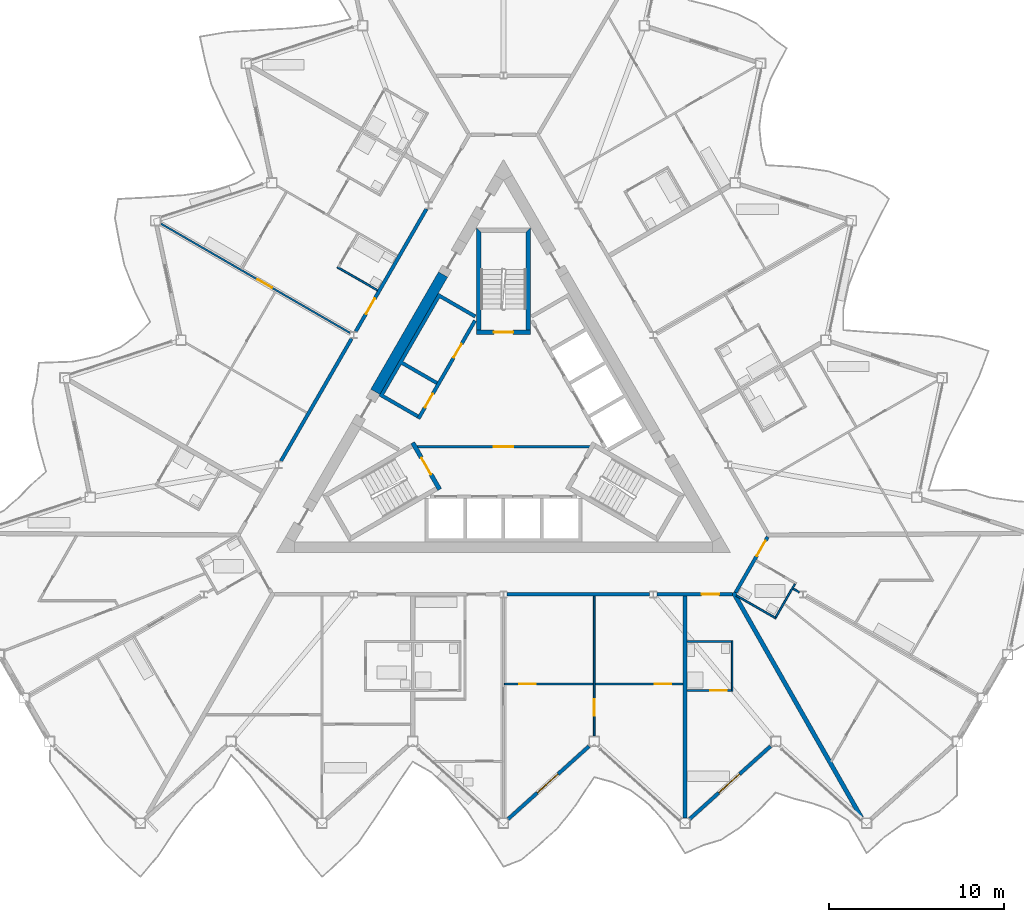
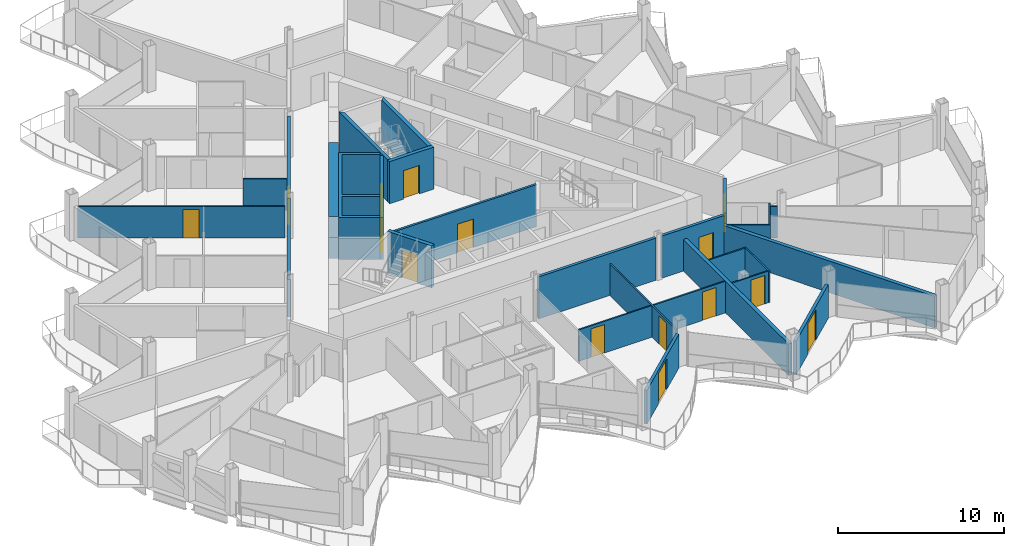
# One storey, part 14 of 26: 27 walls, 15 doors, 15 openings.
"""IFC4 building model written with IfcOpenShell, lengths in metres."""

from ifc_helpers import new_model, si_unit, direction, frame, frame_2d, origin, place, context, subcontext, project, spatial, polyline, rectangle, outline, extrude, material, layer, layer_set, type_object, element, fill, save


model = new_model("IFC4")

# Units and contexts
model_context = context("Model", 3, precision=1e-05, world=origin(), true_north=direction((0.0, 1.0)))
body_context = subcontext(model_context, "Body", "Model", "MODEL_VIEW")
ifc_project = project(units=[si_unit("LENGTHUNIT", "METRE"), si_unit("AREAUNIT", "SQUARE_METRE"), si_unit("VOLUMEUNIT", "CUBIC_METRE"), si_unit("PLANEANGLEUNIT", "RADIAN"), si_unit("MASSUNIT", "GRAM", prefix="KILO")], contexts=[model_context])

# Site, building, storey
site_placement = place(None, origin())
site = spatial("IfcSite", under=ifc_project, at=site_placement, CompositionType="ELEMENT")
building_placement = place(site_placement, origin())
building = spatial("IfcBuilding", under=site, at=building_placement, Name="Cormorant Prow Tower", CompositionType="ELEMENT")
storey_placement = place(building_placement, frame((0.0, 0.0, 342.60009765625)))
storey = spatial("IfcBuildingStorey", under=building, at=storey_placement, Name="L77", CompositionType="ELEMENT", Elevation=342.60009765625)

# Wall, opening, door
ifc_material_1 = material(Name="Gypsum board partition")
ifc_layer_1 = layer(ifc_material_1, 0.14990234375)
ifc_layer_set_1 = layer_set([ifc_layer_1], Name="Gypsum board partition")
wall_type_1 = type_object("IfcWallType", Name="Core partition 150", PredefinedType="PARTITIONING", material=ifc_layer_set_1)
wall_1_placement = place(storey_placement, frame((-4.941162109375, -1.449951171875, 0.0), z_axis=(0.0, 0.0, 1.0), x_axis=(1.0, 0.0, 0.0)))
wall_1 = element("IfcWall", 1, at=wall_1_placement, inside=storey, type_object=wall_type_1, Name="Firefighting lobby partition", PredefinedType="PARTITIONING", context=body_context, shape_type="SweptSolid", body=[
    extrude(rectangle(XDim=9.88232421875, YDim=0.14990234375, at=frame_2d((4.941162109375, 0.0))), origin(), (0.0, 0.0, 1.0), 3.099853515625),
])
opening_1_placement = place(wall_1_placement, frame((4.39111328125, 0.0, 0.0)))
opening_1 = element("IfcOpeningElement", 2, at=opening_1_placement, cuts=wall_1, Name="Opening L77-C11", PredefinedType="OPENING", context=body_context, shape_type="SweptSolid", body=[
    extrude(rectangle(XDim=1.10009765625, YDim=2.10009765625, at=frame_2d((0.550048828125, 1.050048828125))), frame((0.0, 0.0849609375, 0.0), z_axis=(0.0, -1.0, 0.0), x_axis=(1.0, 0.0, 0.0)), (0.0, 0.0, 1.0), 0.169921875),
])
ifc_material_2 = material(Name="Painted steel", Category="steel")
door_type_1 = type_object("IfcDoorType", Name="Firefighting lobby door 1100x2100", OperationType="NOTDEFINED", PredefinedType="DOOR", material=ifc_material_2)
door_1_placement = place(opening_1_placement, origin())
door_1 = element("IfcDoor", 3, at=door_1_placement, inside=storey, type_object=door_type_1, Name="Firefighting lobby door", OperationType="SINGLE_SWING_RIGHT", OverallHeight=2.10009765625, OverallWidth=1.10009765625, PredefinedType="DOOR", context=body_context, shape_type="SweptSolid", body=[
    extrude(rectangle(XDim=1.10009765625, YDim=2.10009765625, at=frame_2d((0.550048828125, 1.050048828125))), frame((0.0, 0.02490234375, 0.0), z_axis=(0.0, -1.0, 0.0), x_axis=(1.0, 0.0, 0.0)), (0.0, 0.0, 1.0), 0.050048828125),
])
fill(opening_1, door_1)

# Walls
ifc_material_3 = material(Name="Concrete 8000 psi", Category="concrete")
ifc_layer_2 = layer(ifc_material_3, 0.60009765625)
ifc_layer_set_2 = layer_set([ifc_layer_2], Name="Concrete 8000 psi")
wall_type_2 = type_object("IfcWallType", Name="Core shear wall 600", PredefinedType="SHEAR", material=ifc_layer_set_2)
wall_2_placement = place(storey_placement, frame((-3.460693359375, 8.416748046875, 0.0), z_axis=(0.0, 0.0, 1.0), x_axis=(-0.50000391502, -0.866023143435, 0.0)))
element("IfcWall", 4, at=wall_2_placement, inside=storey, type_object=wall_type_2, Name="Core wall", PredefinedType="SHEAR", context=body_context, shape_type="SweptSolid", body=[
    extrude(rectangle(XDim=7.7587890625, YDim=0.60009765625, at=frame_2d((3.87939453125, 0.0))), origin(), (0.0, 0.0, 1.0), 3.099853515625),
])
ifc_material_4 = material(Name="Gypsum board corridor wall")
ifc_layer_3 = layer(ifc_material_4, 0.199951171875)
ifc_layer_set_3 = layer_set([ifc_layer_3], Name="Gypsum board corridor wall")
wall_type_3 = type_object("IfcWallType", Name="Corridor wall 200", PredefinedType="PARTITIONING", material=ifc_layer_set_3)
wall_3_placement = place(storey_placement, frame((0.207763671875, -9.905517578125, 0.0), z_axis=(0.0, 0.0, 1.0), x_axis=(1.0, 0.0, 0.0)))
element("IfcWall", 5, at=wall_3_placement, inside=storey, type_object=wall_type_3, Name="Corridor wall", PredefinedType="PARTITIONING", context=body_context, shape_type="SweptSolid", body=[
    extrude(rectangle(XDim=8.1630859375, YDim=0.199951171875, at=frame_2d((4.08154296875, 0.0))), origin(), (0.0, 0.0, 1.0), 3.099853515625),
])

# Wall, opening, door
wall_4_placement = place(storey_placement, frame((-8.45849609375, 5.160400390625, 0.0), z_axis=(0.0, 0.0, 1.0), x_axis=(0.499984266882, 0.866034487114, 0.0)))
wall_4 = element("IfcWall", 6, at=wall_4_placement, inside=storey, type_object=wall_type_3, Name="Corridor wall", PredefinedType="PARTITIONING", context=body_context, shape_type="SweptSolid", body=[
    extrude(rectangle(XDim=8.098876953125, YDim=0.199951171875, at=frame_2d((4.04931640625, 0.0))), origin(), (0.0, 0.0, 1.0), 3.099853515625),
])
opening_2_placement = place(wall_4_placement, frame((1.16357421875, 0.0, 0.0)))
opening_2 = element("IfcOpeningElement", 7, at=opening_2_placement, cuts=wall_4, Name="Opening L77-F42", PredefinedType="OPENING", context=body_context, shape_type="SweptSolid", body=[
    extrude(rectangle(XDim=1.0, YDim=2.10009765625, at=frame_2d((0.5, 1.050048828125))), frame((0.0, 0.10986328125, 0.0), z_axis=(0.0, -1.0, 0.0), x_axis=(1.0, 0.0, 0.0)), (0.0, 0.0, 1.0), 0.219970703125),
])
ifc_material_5 = material(Name="Timber door leaf", Category="wood")
door_type_2 = type_object("IfcDoorType", Name="Flat or room entrance door 1000x2100", OperationType="NOTDEFINED", PredefinedType="DOOR", material=ifc_material_5)
door_2_placement = place(opening_2_placement, origin())
door_2 = element("IfcDoor", 8, at=door_2_placement, inside=storey, type_object=door_type_2, Name="Living room door", OperationType="SINGLE_SWING_RIGHT", OverallHeight=2.10009765625, OverallWidth=1.0, PredefinedType="DOOR", context=body_context, shape_type="SweptSolid", body=[
    extrude(rectangle(XDim=1.0, YDim=2.10009765625, at=frame_2d((0.5, 1.050048828125))), frame((0.0, 0.02490234375, 0.0), z_axis=(0.0, -1.0, 0.0), x_axis=(1.0, 0.0, 0.0)), (0.0, 0.0, 1.0), 0.050048828125),
])
fill(opening_2, door_2)

# Wall
wall_5_placement = place(storey_placement, frame((-12.747802734375, -2.268798828125, 0.0), z_axis=(0.0, 0.0, 1.0), x_axis=(0.499984266882, 0.866034487114, 0.0)))
element("IfcWall", 9, at=wall_5_placement, inside=storey, type_object=wall_type_3, Name="Corridor wall", PredefinedType="PARTITIONING", context=body_context, shape_type="SweptSolid", body=[
    extrude(rectangle(XDim=8.098876953125, YDim=0.199951171875, at=frame_2d((4.04931640625, 0.0))), origin(), (0.0, 0.0, 1.0), 3.099853515625),
])

# Wall, opening, door
wall_6_placement = place(storey_placement, frame((8.7861328125, -9.905517578125, 0.0), z_axis=(0.0, 0.0, 1.0), x_axis=(1.0, 0.0, 0.0)))
wall_6 = element("IfcWall", 10, at=wall_6_placement, inside=storey, type_object=wall_type_3, Name="Corridor wall", PredefinedType="PARTITIONING", context=body_context, shape_type="SweptSolid", body=[
    extrude(rectangle(XDim=4.31982421875, YDim=0.199951171875, at=frame_2d((2.159912109375, 0.0))), origin(), (0.0, 0.0, 1.0), 3.099853515625),
])
opening_3_placement = place(wall_6_placement, frame((2.566162109375, 0.0, 0.0)))
opening_3 = element("IfcOpeningElement", 11, at=opening_3_placement, cuts=wall_6, Name="Opening L77-F14", PredefinedType="OPENING", context=body_context, shape_type="SweptSolid", body=[
    extrude(rectangle(XDim=1.0, YDim=2.10009765625, at=frame_2d((0.5, 1.050048828125))), frame((0.0, 0.10986328125, 0.0), z_axis=(0.0, -1.0, 0.0), x_axis=(1.0, 0.0, 0.0)), (0.0, 0.0, 1.0), 0.219970703125),
])
door_3_placement = place(opening_3_placement, origin())
door_3 = element("IfcDoor", 12, at=door_3_placement, inside=storey, type_object=door_type_2, Name="Studio living, kitchen and sleeping room door", OperationType="SINGLE_SWING_RIGHT", OverallHeight=2.10009765625, OverallWidth=1.0, PredefinedType="DOOR", context=body_context, shape_type="SweptSolid", body=[
    extrude(rectangle(XDim=1.0, YDim=2.10009765625, at=frame_2d((0.5, 1.050048828125))), frame((0.0, 0.02490234375, 0.0), z_axis=(0.0, -1.0, 0.0), x_axis=(1.0, 0.0, 0.0)), (0.0, 0.0, 1.0), 0.050048828125),
])
fill(opening_3, door_3)

wall_7_placement = place(storey_placement, frame((13.29345703125, -9.79736328125, 0.0), z_axis=(0.0, 0.0, 1.0), x_axis=(0.499967746641, 0.866044024469, 0.0)))
wall_7 = element("IfcWall", 13, at=wall_7_placement, inside=storey, type_object=wall_type_3, Name="Corridor wall", PredefinedType="PARTITIONING", context=body_context, shape_type="SweptSolid", body=[
    extrude(rectangle(XDim=3.676025390625, YDim=0.199951171875, at=frame_2d((1.837890625, 0.0))), origin(), (0.0, 0.0, 1.0), 3.099853515625),
])
opening_4_placement = place(wall_7_placement, frame((2.426025390625, 0.0, 0.0)))
opening_4 = element("IfcOpeningElement", 14, at=opening_4_placement, cuts=wall_7, Name="Opening L77-F16", PredefinedType="OPENING", context=body_context, shape_type="SweptSolid", body=[
    extrude(rectangle(XDim=1.0, YDim=2.10009765625, at=frame_2d((0.5, 1.050048828125))), frame((0.0, 0.10986328125, 0.0), z_axis=(0.0, -1.0, 0.0), x_axis=(1.0, 0.0, 0.0)), (0.0, 0.0, 1.0), 0.219970703125),
])
door_4_placement = place(opening_4_placement, origin())
door_4 = element("IfcDoor", 15, at=door_4_placement, inside=storey, type_object=door_type_2, Name="Living room door", OperationType="SINGLE_SWING_RIGHT", OverallHeight=2.10009765625, OverallWidth=1.0, PredefinedType="DOOR", context=body_context, shape_type="SweptSolid", body=[
    extrude(rectangle(XDim=1.0, YDim=2.10009765625, at=frame_2d((0.5, 1.050048828125))), frame((0.0, 0.02490234375, 0.0), z_axis=(0.0, -1.0, 0.0), x_axis=(1.0, 0.0, 0.0)), (0.0, 0.0, 1.0), 0.050048828125),
])
fill(opening_4, door_4)

ifc_material_6 = material(Name="Gypsum board partition")
ifc_layer_4 = layer(ifc_material_6, 0.10009765625)
ifc_layer_set_4 = layer_set([ifc_layer_4], Name="Gypsum board partition")
wall_type_4 = type_object("IfcWallType", Name="Internal partition 100", PredefinedType="PARTITIONING", material=ifc_layer_set_4)
wall_8_placement = place(storey_placement, frame((-19.615478515625, 11.3251953125, 0.0), z_axis=(0.0, 0.0, 1.0), x_axis=(0.86602139559, -0.500006942333, 0.0)))
wall_8 = element("IfcWall", 16, at=wall_8_placement, inside=storey, type_object=wall_type_4, Name="Internal partition", PredefinedType="PARTITIONING", context=body_context, shape_type="SweptSolid", body=[
    extrude(rectangle(XDim=12.504638671875, YDim=0.10009765625, at=frame_2d((6.25244140625, 0.0))), origin(), (0.0, 0.0, 1.0), 2.330078125),
])
opening_5_placement = place(wall_8_placement, frame((6.38037109375, 0.0, 0.0)))
opening_5 = element("IfcOpeningElement", 17, at=opening_5_placement, cuts=wall_8, Name="Opening L77-F47", PredefinedType="OPENING", context=body_context, shape_type="SweptSolid", body=[
    extrude(rectangle(XDim=0.949951171875, YDim=2.10009765625, at=frame_2d((0.47509765625, 1.050048828125))), frame((0.0, 0.06005859375, 0.0), z_axis=(0.0, -1.0, 0.0), x_axis=(1.0, 0.0, 0.0)), (0.0, 0.0, 1.0), 0.1201171875),
])
ifc_material_7 = material(Name="Timber door leaf", Category="wood")
door_type_3 = type_object("IfcDoorType", Name="Bathroom door 950x2100", OperationType="NOTDEFINED", PredefinedType="DOOR", material=ifc_material_7)
door_5_placement = place(opening_5_placement, origin())
door_5 = element("IfcDoor", 18, at=door_5_placement, inside=storey, type_object=door_type_3, Name="Living room door", OperationType="SINGLE_SWING_RIGHT", OverallHeight=2.10009765625, OverallWidth=0.949951171875, PredefinedType="DOOR", context=body_context, shape_type="SweptSolid", body=[
    extrude(rectangle(XDim=0.949951171875, YDim=2.10009765625, at=frame_2d((0.47509765625, 1.050048828125))), frame((0.0, 0.02490234375, 0.0), z_axis=(0.0, -1.0, 0.0), x_axis=(1.0, 0.0, 0.0)), (0.0, 0.0, 1.0), 0.050048828125),
])
fill(opening_5, door_5)

# Wall, openings, doors
wall_9_placement = place(storey_placement, frame((0.050048828125, -15.033447265625, 0.0), z_axis=(0.0, 0.0, 1.0), x_axis=(1.0, 0.0, 0.0)))
wall_9 = element("IfcWall", 19, at=wall_9_placement, inside=storey, type_object=wall_type_4, Name="Internal partition", PredefinedType="PARTITIONING", context=body_context, shape_type="SweptSolid", body=[
    extrude(rectangle(XDim=10.219970703125, YDim=0.10009765625, at=frame_2d((5.10986328125, 0.0))), origin(), (0.0, 0.0, 1.0), 2.330078125),
])
opening_6_placement = place(wall_9_placement, frame((0.854736328125, 0.0, 0.0)))
opening_6 = element("IfcOpeningElement", 20, at=opening_6_placement, cuts=wall_9, Name="Opening L77-F10", PredefinedType="OPENING", context=body_context, shape_type="SweptSolid", body=[
    extrude(rectangle(XDim=0.949951171875, YDim=2.10009765625, at=frame_2d((0.47509765625, 1.050048828125))), frame((0.0, 0.06005859375, 0.0), z_axis=(0.0, -1.0, 0.0), x_axis=(1.0, 0.0, 0.0)), (0.0, 0.0, 1.0), 0.1201171875),
])
opening_7_placement = place(wall_9_placement, frame((8.616943359375, 0.0, 0.0)))
opening_7 = element("IfcOpeningElement", 21, at=opening_7_placement, cuts=wall_9, Name="Opening L77-F12", PredefinedType="OPENING", context=body_context, shape_type="SweptSolid", body=[
    extrude(rectangle(XDim=0.949951171875, YDim=2.10009765625, at=frame_2d((0.47509765625, 1.050048828125))), frame((0.0, 0.06005859375, 0.0), z_axis=(0.0, -1.0, 0.0), x_axis=(1.0, 0.0, 0.0)), (0.0, 0.0, 1.0), 0.1201171875),
])
door_6_placement = place(opening_6_placement, origin())
door_6 = element("IfcDoor", 22, at=door_6_placement, inside=storey, type_object=door_type_3, Name="Bedroom door", OperationType="SINGLE_SWING_LEFT", OverallHeight=2.10009765625, OverallWidth=0.949951171875, PredefinedType="DOOR", context=body_context, shape_type="SweptSolid", body=[
    extrude(rectangle(XDim=0.949951171875, YDim=2.10009765625, at=frame_2d((0.47509765625, 1.050048828125))), frame((0.0, 0.02490234375, 0.0), z_axis=(0.0, -1.0, 0.0), x_axis=(1.0, 0.0, 0.0)), (0.0, 0.0, 1.0), 0.050048828125),
])
fill(opening_6, door_6)
door_7_placement = place(opening_7_placement, origin())
door_7 = element("IfcDoor", 23, at=door_7_placement, inside=storey, type_object=door_type_3, Name="Bedroom door", OperationType="SINGLE_SWING_RIGHT", OverallHeight=2.10009765625, OverallWidth=0.949951171875, PredefinedType="DOOR", context=body_context, shape_type="SweptSolid", body=[
    extrude(rectangle(XDim=0.949951171875, YDim=2.10009765625, at=frame_2d((0.47509765625, 1.050048828125))), frame((0.0, 0.02490234375, 0.0), z_axis=(0.0, -1.0, 0.0), x_axis=(1.0, 0.0, 0.0)), (0.0, 0.0, 1.0), 0.050048828125),
])
fill(opening_7, door_7)

# Wall, opening, door
wall_10_placement = place(storey_placement, frame((5.197509765625, -18.016845703125, 0.0), z_axis=(0.0, 0.0, 1.0), x_axis=(0.0, 1.0, 0.0)))
wall_10 = element("IfcWall", 24, at=wall_10_placement, inside=storey, type_object=wall_type_4, Name="Internal partition", PredefinedType="PARTITIONING", context=body_context, shape_type="SweptSolid", body=[
    extrude(rectangle(XDim=8.01123046875, YDim=0.10009765625, at=frame_2d((4.005615234375, 0.0))), origin(), (0.0, 0.0, 1.0), 2.330078125),
])
opening_8_placement = place(wall_10_placement, frame((1.158447265625, 0.0, 0.0)))
opening_8 = element("IfcOpeningElement", 25, at=opening_8_placement, cuts=wall_10, Name="Opening L77-F11", PredefinedType="OPENING", context=body_context, shape_type="SweptSolid", body=[
    extrude(rectangle(XDim=0.949951171875, YDim=2.10009765625, at=frame_2d((0.47509765625, 1.050048828125))), frame((0.0, 0.06005859375, 0.0), z_axis=(0.0, -1.0, 0.0), x_axis=(1.0, 0.0, 0.0)), (0.0, 0.0, 1.0), 0.1201171875),
])
door_8_placement = place(opening_8_placement, origin())
door_8 = element("IfcDoor", 26, at=door_8_placement, inside=storey, type_object=door_type_3, Name="Bedroom door", OperationType="SINGLE_SWING_RIGHT", OverallHeight=2.10009765625, OverallWidth=0.949951171875, PredefinedType="DOOR", context=body_context, shape_type="SweptSolid", body=[
    extrude(rectangle(XDim=0.949951171875, YDim=2.10009765625, at=frame_2d((0.47509765625, 1.050048828125))), frame((0.0, 0.02490234375, 0.0), z_axis=(0.0, -1.0, 0.0), x_axis=(1.0, 0.0, 0.0)), (0.0, 0.0, 1.0), 0.050048828125),
])
fill(opening_8, door_8)

# Walls
wall_11_placement = place(storey_placement, frame((13.09521484375, -15.45556640625, 0.0), z_axis=(0.0, 0.0, 1.0), x_axis=(0.0, 1.0, 0.0)))
element("IfcWall", 27, at=wall_11_placement, inside=storey, type_object=wall_type_4, Name="Internal partition", PredefinedType="PARTITIONING", context=body_context, shape_type="SweptSolid", body=[
    extrude(rectangle(XDim=2.89990234375, YDim=0.10009765625, at=frame_2d((1.449951171875, 0.0))), origin(), (0.0, 0.0, 1.0), 2.330078125),
])
wall_12_placement = place(storey_placement, frame((10.52001953125, -12.605712890625, 0.0), z_axis=(0.0, 0.0, 1.0), x_axis=(1.0, 0.0, 0.0)))
element("IfcWall", 28, at=wall_12_placement, inside=storey, type_object=wall_type_4, Name="Internal partition", PredefinedType="PARTITIONING", context=body_context, shape_type="SweptSolid", body=[
    extrude(rectangle(XDim=2.525146484375, YDim=0.10009765625, at=frame_2d((1.2626953125, 0.0))), origin(), (0.0, 0.0, 1.0), 2.330078125),
])

# Wall, opening, door
wall_13_placement = place(storey_placement, frame((10.52001953125, -15.405517578125, 0.0), z_axis=(0.0, 0.0, 1.0), x_axis=(1.0, 0.0, 0.0)))
wall_13 = element("IfcWall", 29, at=wall_13_placement, inside=storey, type_object=wall_type_4, Name="Internal partition", PredefinedType="PARTITIONING", context=body_context, shape_type="SweptSolid", body=[
    extrude(rectangle(XDim=2.525146484375, YDim=0.10009765625, at=frame_2d((1.2626953125, 0.0))), origin(), (0.0, 0.0, 1.0), 2.330078125),
])
opening_9_placement = place(wall_13_placement, frame((1.324951171875, 0.0, 0.0)))
opening_9 = element("IfcOpeningElement", 30, at=opening_9_placement, cuts=wall_13, Name="Opening L77-F15", PredefinedType="OPENING", context=body_context, shape_type="SweptSolid", body=[
    extrude(rectangle(XDim=0.949951171875, YDim=2.10009765625, at=frame_2d((0.47509765625, 1.050048828125))), frame((0.0, 0.06005859375, 0.0), z_axis=(0.0, -1.0, 0.0), x_axis=(1.0, 0.0, 0.0)), (0.0, 0.0, 1.0), 0.1201171875),
])
door_9_placement = place(opening_9_placement, origin())
door_9 = element("IfcDoor", 31, at=door_9_placement, inside=storey, type_object=door_type_3, Name="Studio living, kitchen and sleeping room door", OperationType="SINGLE_SWING_RIGHT", OverallHeight=2.10009765625, OverallWidth=0.949951171875, PredefinedType="DOOR", context=body_context, shape_type="SweptSolid", body=[
    extrude(rectangle(XDim=0.949951171875, YDim=2.10009765625, at=frame_2d((0.47509765625, 1.050048828125))), frame((0.0, 0.02490234375, 0.0), z_axis=(0.0, -1.0, 0.0), x_axis=(1.0, 0.0, 0.0)), (0.0, 0.0, 1.0), 0.050048828125),
])
fill(opening_9, door_9)

# Walls
wall_14_placement = place(storey_placement, frame((-9.51123046875, 8.837158203125, 0.0), z_axis=(0.0, 0.0, 1.0), x_axis=(0.866029095148, -0.499993606316, 0.0)))
element("IfcWall", 32, at=wall_14_placement, inside=storey, type_object=wall_type_4, Name="Internal partition", PredefinedType="PARTITIONING", context=body_context, shape_type="SweptSolid", body=[
    extrude(rectangle(XDim=2.64990234375, YDim=0.10009765625, at=frame_2d((1.324951171875, 0.0))), origin(), (0.0, 0.0, 1.0), 2.330078125),
])
wall_15_placement = place(storey_placement, frame((13.339111328125, -9.968017578125, 0.0), z_axis=(0.0, 0.0, 1.0), x_axis=(0.866036909293, -0.499980071345, 0.0)))
element("IfcWall", 33, at=wall_15_placement, inside=storey, type_object=wall_type_4, Name="Internal partition", PredefinedType="PARTITIONING", context=body_context, shape_type="SweptSolid", body=[
    extrude(rectangle(XDim=2.625, YDim=0.10009765625, at=frame_2d((1.3125, 0.0))), origin(), (0.0, 0.0, 1.0), 2.330078125),
])
wall_16_placement = place(storey_placement, frame((15.59423828125, -11.21240234375, 0.0), z_axis=(0.0, 0.0, 1.0), x_axis=(0.499898558967, 0.866083962871, 0.0)))
element("IfcWall", 34, at=wall_16_placement, inside=storey, type_object=wall_type_4, Name="Internal partition", PredefinedType="PARTITIONING", context=body_context, shape_type="SweptSolid", body=[
    extrude(rectangle(XDim=2.2001953125, YDim=0.10009765625, at=frame_2d((1.10009765625, 0.0))), origin(), (0.0, 0.0, 1.0), 2.330078125),
])
wall_17_placement = place(storey_placement, frame((16.593994140625, -9.58056640625, 0.0), z_axis=(0.0, 0.0, 1.0), x_axis=(0.866036909293, -0.499980071345, 0.0)))
element("IfcWall", 35, at=wall_17_placement, inside=storey, type_object=wall_type_4, Name="Internal partition", PredefinedType="PARTITIONING", context=body_context, shape_type="SweptSolid", body=[
    extrude(rectangle(XDim=0.41015625, YDim=0.10009765625, at=frame_2d((0.205078125, 0.0))), origin(), (0.0, 0.0, 1.0), 2.330078125),
])

# Wall, openings, doors
ifc_material_8 = material(Name="Concrete 5000 psi", Category="concrete")
ifc_layer_5 = layer(ifc_material_8, 0.199951171875)
ifc_layer_set_5 = layer_set([ifc_layer_5], Name="Concrete 5000 psi")
wall_type_5 = type_object("IfcWallType", Name="Lift lobby wall 200", PredefinedType="SOLIDWALL", material=ifc_layer_set_5)
wall_18_placement = place(storey_placement, frame((-1.630615234375, 5.775634765625, 0.0), z_axis=(0.0, 0.0, 1.0), x_axis=(-0.499992876559, -0.866029516466, 0.0)))
wall_18 = element("IfcWall", 36, at=wall_18_placement, inside=storey, type_object=wall_type_5, Name="Lift lobby wall, WNW block", PredefinedType="SOLIDWALL", context=body_context, shape_type="SweptSolid", body=[
    extrude(rectangle(XDim=6.486328125, YDim=0.199951171875, at=frame_2d((3.2431640625, 0.0))), origin(), (0.0, 0.0, 1.0), 3.099853515625),
])
opening_10_placement = place(wall_18_placement, frame((1.53662109375, 0.0, 0.0)))
opening_10 = element("IfcOpeningElement", 37, at=opening_10_placement, cuts=wall_18, Name="Opening L77-C09", PredefinedType="OPENING", context=body_context, shape_type="SweptSolid", body=[
    extrude(rectangle(XDim=0.89990234375, YDim=2.10009765625, at=frame_2d((0.449951171875, 1.050048828125))), frame((0.0, 0.10986328125, 0.0), z_axis=(0.0, -1.0, 0.0), x_axis=(1.0, 0.0, 0.0)), (0.0, 0.0, 1.0), 0.219970703125),
])
opening_11_placement = place(wall_18_placement, frame((4.836669921875, 0.0, 0.0)))
opening_11 = element("IfcOpeningElement", 38, at=opening_11_placement, cuts=wall_18, Name="Opening L77-C10", PredefinedType="OPENING", context=body_context, shape_type="SweptSolid", body=[
    extrude(rectangle(XDim=0.89990234375, YDim=2.10009765625, at=frame_2d((0.449951171875, 1.050048828125))), frame((0.0, 0.10986328125, 0.0), z_axis=(0.0, -1.0, 0.0), x_axis=(1.0, 0.0, 0.0)), (0.0, 0.0, 1.0), 0.219970703125),
])
ifc_material_9 = material(Name="Painted steel", Category="steel")
door_type_4 = type_object("IfcDoorType", Name="Service door 900x2100", OperationType="NOTDEFINED", PredefinedType="DOOR", material=ifc_material_9)
door_10_placement = place(opening_10_placement, origin())
door_10 = element("IfcDoor", 39, at=door_10_placement, inside=storey, type_object=door_type_4, Name="Service door, Refuse store", OperationType="SINGLE_SWING_LEFT", OverallHeight=2.10009765625, OverallWidth=0.89990234375, PredefinedType="DOOR", context=body_context, shape_type="SweptSolid", body=[
    extrude(rectangle(XDim=0.89990234375, YDim=2.10009765625, at=frame_2d((0.449951171875, 1.050048828125))), frame((0.0, 0.02490234375, 0.0), z_axis=(0.0, -1.0, 0.0), x_axis=(1.0, 0.0, 0.0)), (0.0, 0.0, 1.0), 0.050048828125),
])
fill(opening_10, door_10)
door_11_placement = place(opening_11_placement, origin())
door_11 = element("IfcDoor", 40, at=door_11_placement, inside=storey, type_object=door_type_4, Name="Service door, Telecom room", OperationType="SINGLE_SWING_RIGHT", OverallHeight=2.10009765625, OverallWidth=0.89990234375, PredefinedType="DOOR", context=body_context, shape_type="SweptSolid", body=[
    extrude(rectangle(XDim=0.89990234375, YDim=2.10009765625, at=frame_2d((0.449951171875, 1.050048828125))), frame((0.0, 0.02490234375, 0.0), z_axis=(0.0, -1.0, 0.0), x_axis=(1.0, 0.0, 0.0)), (0.0, 0.0, 1.0), 0.050048828125),
])
fill(opening_11, door_11)

# Wall
ifc_material_10 = material(Name="Concrete 8000 psi", Category="concrete")
ifc_layer_6 = layer(ifc_material_10, 0.199951171875)
ifc_layer_set_6 = layer_set([ifc_layer_6], Name="Concrete 8000 psi")
wall_type_6 = type_object("IfcWallType", Name="Lift shaft wall 200", PredefinedType="SHEAR", material=ifc_layer_set_6)
wall_19_placement = place(storey_placement, origin())
element("IfcWall", 41, at=wall_19_placement, inside=storey, type_object=wall_type_6, Name="Lift shaft walls, WNW block", PredefinedType="SHEAR", context=body_context, shape_type="SweptSolid", body=[
    extrude(outline(polyline([(-4.96044921875, 0.2080078125), (-7.130859375, 1.461181640625), (-3.730712890625, 7.35009765625), (-1.560546875, 6.09716796875), (-1.660400390625, 5.923828125), (-3.65234375, 7.073974609375), (-5.75244140625, 3.4365234375), (-3.760498046875, 2.28662109375), (-3.860595703125, 2.11328125), (-5.852294921875, 3.263427734375), (-6.852294921875, 1.53125), (-4.860595703125, 0.38134765625), (-4.96044921875, 0.2080078125)])), origin(), (0.0, 0.0, 1.0), 3.099853515625),
])

# Wall, opening, door
ifc_material_11 = material(Name="Concrete 8000 psi", Category="concrete")
ifc_layer_7 = layer(ifc_material_11, 0.25)
ifc_layer_set_7 = layer_set([ifc_layer_7], Name="Concrete 8000 psi")
wall_type_7 = type_object("IfcWallType", Name="Stair wall 250", PredefinedType="SHEAR", material=ifc_layer_set_7)
wall_20_placement = place(storey_placement, frame((-5.198974609375, -1.21875, 0.0), z_axis=(0.0, 0.0, 1.0), x_axis=(0.499982516597, -0.866035497597, 0.0)))
wall_20 = element("IfcWall", 42, at=wall_20_placement, inside=storey, type_object=wall_type_7, Name="Stair ST1 door wall", PredefinedType="SHEAR", context=body_context, shape_type="SweptSolid", body=[
    extrude(rectangle(XDim=3.087890625, YDim=0.25, at=frame_2d((1.5439453125, 0.0))), origin(), (0.0, 0.0, 1.0), 3.099853515625),
])
opening_12_placement = place(wall_20_placement, frame((0.993896484375, 0.0, 0.0)))
opening_12 = element("IfcOpeningElement", 43, at=opening_12_placement, cuts=wall_20, Name="Opening L77-C12", PredefinedType="OPENING", context=body_context, shape_type="SweptSolid", body=[
    extrude(rectangle(XDim=1.10009765625, YDim=2.10009765625, at=frame_2d((0.550048828125, 1.050048828125))), frame((0.0, 0.135009765625, 0.0), z_axis=(0.0, -1.0, 0.0), x_axis=(1.0, 0.0, 0.0)), (0.0, 0.0, 1.0), 0.27001953125),
])
ifc_material_12 = material(Name="Painted steel", Category="steel")
door_type_5 = type_object("IfcDoorType", Name="Stair door 1100x2100", OperationType="NOTDEFINED", PredefinedType="DOOR", material=ifc_material_12)
door_12_placement = place(opening_12_placement, origin())
door_12 = element("IfcDoor", 44, at=door_12_placement, inside=storey, type_object=door_type_5, Name="Stair ST1 door", OperationType="SINGLE_SWING_LEFT", OverallHeight=2.10009765625, OverallWidth=1.10009765625, PredefinedType="DOOR", context=body_context, shape_type="SweptSolid", body=[
    extrude(rectangle(XDim=1.10009765625, YDim=2.10009765625, at=frame_2d((0.550048828125, 1.050048828125))), frame((0.0, 0.02490234375, 0.0), z_axis=(0.0, -1.0, 0.0), x_axis=(1.0, 0.0, 0.0)), (0.0, 0.0, 1.0), 0.050048828125),
])
fill(opening_12, door_12)

# Walls
wall_21_placement = place(storey_placement, origin())
element("IfcWall", 45, at=wall_21_placement, inside=storey, type_object=wall_type_7, Name="Stair ST3 enclosure wall (flank)", PredefinedType="SHEAR", context=body_context, shape_type="SweptSolid", body=[
    extrude(outline(polyline([(1.5439453125, 5.23681640625), (1.5439453125, 11.0869140625), (1.2939453125, 10.8369140625), (1.2939453125, 5.23681640625), (1.5439453125, 5.23681640625)])), origin(), (0.0, 0.0, 1.0), 3.099853515625),
])
wall_22_placement = place(storey_placement, origin())
element("IfcWall", 46, at=wall_22_placement, inside=storey, type_object=wall_type_7, Name="Stair ST3 enclosure wall (flank)", PredefinedType="SHEAR", context=body_context, shape_type="SweptSolid", body=[
    extrude(outline(polyline([(-1.2939453125, 10.8369140625), (-1.5439453125, 11.0869140625), (-1.5439453125, 5.23681640625), (-1.2939453125, 5.23681640625), (-1.2939453125, 10.8369140625)])), origin(), (0.0, 0.0, 1.0), 3.099853515625),
])

# Wall, opening, door
wall_23_placement = place(storey_placement, frame((1.5439453125, 5.11181640625, 0.0), z_axis=(0.0, 0.0, 1.0), x_axis=(-1.0, 0.0, 0.0)))
wall_23 = element("IfcWall", 47, at=wall_23_placement, inside=storey, type_object=wall_type_7, Name="Stair ST3 door wall", PredefinedType="SHEAR", context=body_context, shape_type="SweptSolid", body=[
    extrude(rectangle(XDim=3.087890625, YDim=0.25, at=frame_2d((1.5439453125, 0.0))), origin(), (0.0, 0.0, 1.0), 3.099853515625),
])
opening_13_placement = place(wall_23_placement, frame((0.993896484375, 0.0, 0.0)))
opening_13 = element("IfcOpeningElement", 48, at=opening_13_placement, cuts=wall_23, Name="Opening L77-C14", PredefinedType="OPENING", context=body_context, shape_type="SweptSolid", body=[
    extrude(rectangle(XDim=1.10009765625, YDim=2.10009765625, at=frame_2d((0.550048828125, 1.050048828125))), frame((0.0, 0.135009765625, 0.0), z_axis=(0.0, -1.0, 0.0), x_axis=(1.0, 0.0, 0.0)), (0.0, 0.0, 1.0), 0.27001953125),
])
door_13_placement = place(opening_13_placement, origin())
door_13 = element("IfcDoor", 49, at=door_13_placement, inside=storey, type_object=door_type_5, Name="Stair ST3 door", OperationType="SINGLE_SWING_LEFT", OverallHeight=2.10009765625, OverallWidth=1.10009765625, PredefinedType="DOOR", context=body_context, shape_type="SweptSolid", body=[
    extrude(rectangle(XDim=1.10009765625, YDim=2.10009765625, at=frame_2d((0.550048828125, 1.050048828125))), frame((0.0, 0.02490234375, 0.0), z_axis=(0.0, -1.0, 0.0), x_axis=(1.0, 0.0, 0.0)), (0.0, 0.0, 1.0), 0.050048828125),
])
fill(opening_13, door_13)

# Walls
ifc_material_13 = material(Name="Acoustic gypsum party wall")
ifc_layer_8 = layer(ifc_material_13, 0.25)
ifc_layer_set_8 = layer_set([ifc_layer_8], Name="Acoustic gypsum party wall")
wall_type_8 = type_object("IfcWallType", Name="Suite party wall 250", PredefinedType="PARTITIONING", material=ifc_layer_set_8)
wall_24_placement = place(storey_placement, frame((13.1689453125, -9.796875, 0.0), z_axis=(0.0, 0.0, 1.0), x_axis=(0.494414335079, -0.869226360201, 0.0)))
element("IfcWall", 50, at=wall_24_placement, inside=storey, type_object=wall_type_8, Name="Suite party wall", PredefinedType="PARTITIONING", context=body_context, shape_type="SweptSolid", body=[
    extrude(rectangle(XDim=14.842041015625, YDim=0.25, at=frame_2d((7.4208984375, 0.0))), origin(), (0.0, 0.0, 1.0), 2.330078125),
])
wall_25_placement = place(storey_placement, frame((10.39501953125, -22.697998046875, 0.0), z_axis=(0.0, 0.0, 1.0), x_axis=(0.0, 1.0, 0.0)))
element("IfcWall", 51, at=wall_25_placement, inside=storey, type_object=wall_type_8, Name="Suite party wall", PredefinedType="PARTITIONING", context=body_context, shape_type="SweptSolid", body=[
    extrude(rectangle(XDim=12.6923828125, YDim=0.25, at=frame_2d((6.34619140625, 0.0))), origin(), (0.0, 0.0, 1.0), 2.330078125),
])

# Wall, opening, door
ifc_material_14 = material(Name="Terracotta", Category="masonry")
ifc_layer_9 = layer(ifc_material_14, 0.199951171875)
ifc_layer_set_9 = layer_set([ifc_layer_9], Name="Terracotta")
wall_type_9 = type_object("IfcWallType", Name="Terracotta jamb wall 200", PredefinedType="SOLIDWALL", material=ifc_layer_set_9)
wall_26_placement = place(storey_placement, frame((0.255615234375, -22.78076171875, 0.0), z_axis=(0.0, 0.0, 1.0), x_axis=(0.743138703901, 0.669137404995, 0.0)))
wall_26 = element("IfcWall", 52, at=wall_26_placement, inside=storey, type_object=wall_type_9, Name="Terracotta jamb wall S05", PredefinedType="SOLIDWALL", context=body_context, shape_type="SweptSolid", body=[
    extrude(rectangle(XDim=6.24853515625, YDim=0.199951171875, at=frame_2d((3.124267578125, 0.0))), origin(), (0.0, 0.0, 1.0), 2.48779296875),
])
opening_14_placement = place(wall_26_placement, frame((2.262939453125, 0.0, 0.0)))
opening_14 = element("IfcOpeningElement", 53, at=opening_14_placement, cuts=wall_26, Name="Opening ED77.03", PredefinedType="OPENING", context=body_context, shape_type="SweptSolid", body=[
    extrude(rectangle(XDim=1.60009765625, YDim=2.25, at=frame_2d((0.800048828125, 1.125))), frame((0.0, 0.10986328125, 0.0), z_axis=(0.0, -1.0, 0.0), x_axis=(1.0, 0.0, 0.0)), (0.0, 0.0, 1.0), 0.219970703125),
])
ifc_material_15 = material(Name="Aluminium 6063-T6", Category="aluminium")
door_type_6 = type_object("IfcDoorType", Name="Balcony door 1600x2250", OperationType="DOUBLE_DOOR_SINGLE_SWING", PredefinedType="DOOR", material=ifc_material_15)
door_14_placement = place(opening_14_placement, origin())
door_14 = element("IfcDoor", 54, at=door_14_placement, inside=storey, type_object=door_type_6, Name="Balcony door S05 ED77.03", OperationType="DOUBLE_DOOR_SINGLE_SWING", OverallHeight=2.25, OverallWidth=1.60009765625, PredefinedType="DOOR", context=body_context, shape_type="SweptSolid", body=[
    extrude(rectangle(XDim=1.60009765625, YDim=2.25, at=frame_2d((0.800048828125, 1.125))), frame((0.0, 0.02490234375, 0.0), z_axis=(0.0, -1.0, 0.0), x_axis=(1.0, 0.0, 0.0)), (0.0, 0.0, 1.0), 0.050048828125),
])
fill(opening_14, door_14)

wall_27_placement = place(storey_placement, frame((10.650634765625, -22.78076171875, 0.0), z_axis=(0.0, 0.0, 1.0), x_axis=(0.743154335217, 0.669120044572, 0.0)))
wall_27 = element("IfcWall", 55, at=wall_27_placement, inside=storey, type_object=wall_type_9, Name="Terracotta jamb wall S07", PredefinedType="SOLIDWALL", context=body_context, shape_type="SweptSolid", body=[
    extrude(rectangle(XDim=6.25244140625, YDim=0.199951171875, at=frame_2d((3.126220703125, 0.0))), origin(), (0.0, 0.0, 1.0), 2.48779296875),
])
opening_15_placement = place(wall_27_placement, frame((2.262939453125, 0.0, 0.0)))
opening_15 = element("IfcOpeningElement", 56, at=opening_15_placement, cuts=wall_27, Name="Opening ED77.04", PredefinedType="OPENING", context=body_context, shape_type="SweptSolid", body=[
    extrude(rectangle(XDim=1.60009765625, YDim=2.25, at=frame_2d((0.800048828125, 1.125))), frame((0.0, 0.10986328125, 0.0), z_axis=(0.0, -1.0, 0.0), x_axis=(1.0, 0.0, 0.0)), (0.0, 0.0, 1.0), 0.219970703125),
])
door_15_placement = place(opening_15_placement, origin())
door_15 = element("IfcDoor", 57, at=door_15_placement, inside=storey, type_object=door_type_6, Name="Balcony door S07 ED77.04", OperationType="DOUBLE_DOOR_SINGLE_SWING", OverallHeight=2.25, OverallWidth=1.60009765625, PredefinedType="DOOR", context=body_context, shape_type="SweptSolid", body=[
    extrude(rectangle(XDim=1.60009765625, YDim=2.25, at=frame_2d((0.800048828125, 1.125))), frame((0.0, 0.02490234375, 0.0), z_axis=(0.0, -1.0, 0.0), x_axis=(1.0, 0.0, 0.0)), (0.0, 0.0, 1.0), 0.050048828125),
])
fill(opening_15, door_15)

save(model, "model.ifc")
